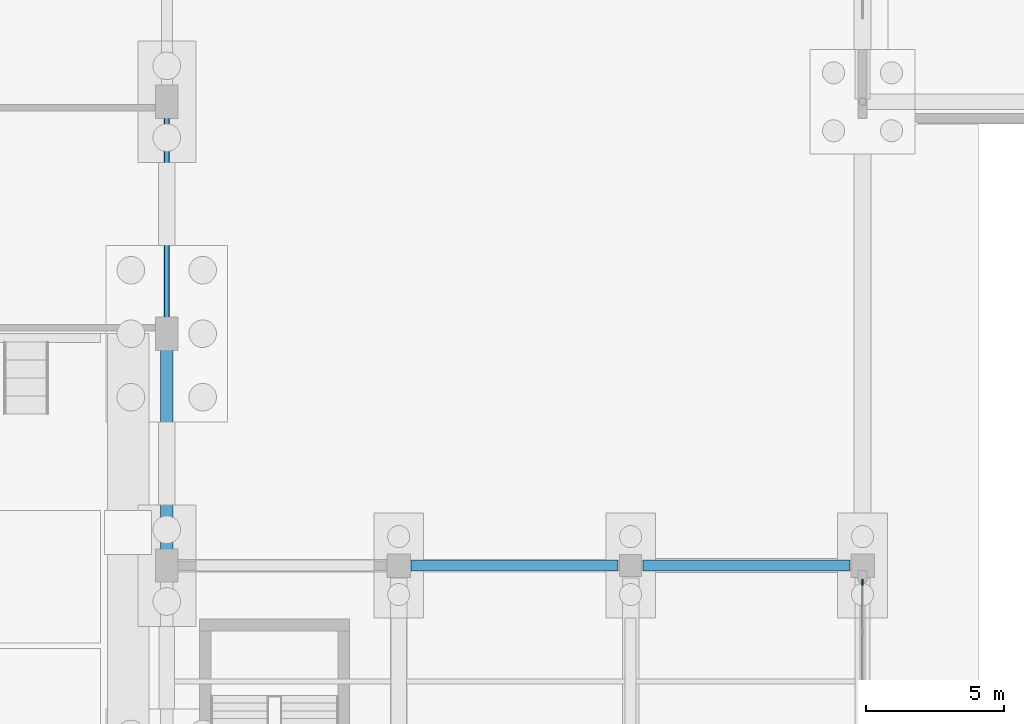
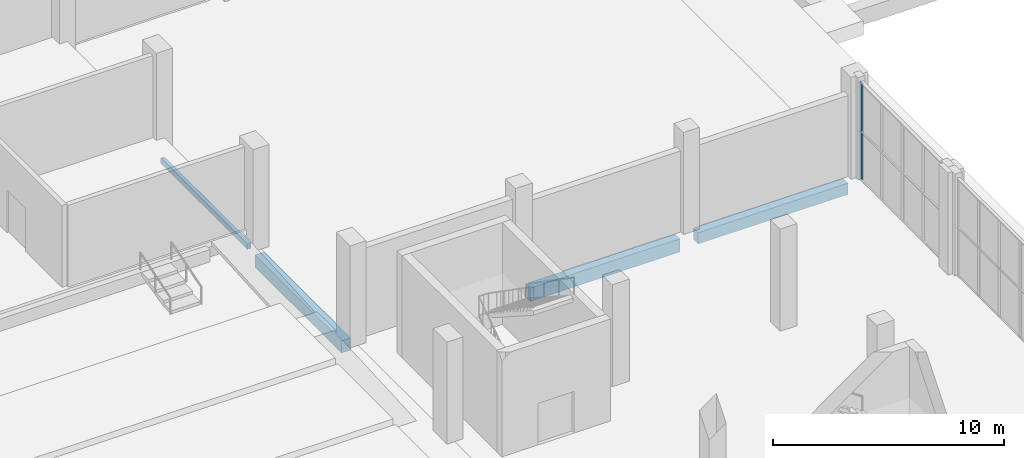
# One storey, part 41 of 82: 4 beams, 1 member, 1 element without a shape of its own.
"""IFC4 building model written with IfcOpenShell, lengths in metres."""

from ifc_helpers import new_model, si_unit, derived_unit, direction, frame, origin, origin_2d, place, context, subcontext, project, spatial, rectangle, hollow_rectangle, extrude, material, material_profile, profile_set, type_object, element, aggregate, save


model = new_model("IFC4")

# Units and contexts
model_context = context("Model", 3, precision=1e-05, world=origin(), true_north=direction((0.0, 1.0)))
body_context = subcontext(model_context, "Body", "Model", "MODEL_VIEW")
ifc_project = project(units=[si_unit("LENGTHUNIT", "METRE"), si_unit("AREAUNIT", "SQUARE_METRE"), si_unit("VOLUMEUNIT", "CUBIC_METRE"), si_unit("PLANEANGLEUNIT", "RADIAN"), si_unit("MASSUNIT", "GRAM", prefix="KILO"), derived_unit("THERMALTRANSMITTANCEUNIT", [(si_unit("POWERUNIT", "WATT"), 1), (si_unit("LENGTHUNIT", "METRE"), -2), (si_unit("THERMODYNAMICTEMPERATUREUNIT", "KELVIN"), -1)])], contexts=[model_context])

# Site, building, storey
site_placement = place(None, origin())
site = spatial("IfcSite", under=ifc_project, at=site_placement, CompositionType="ELEMENT")
building_placement = place(site_placement, origin())
building = spatial("IfcBuilding", under=site, at=building_placement, Name="Barrovel Congress Hotel", CompositionType="ELEMENT")
storey_placement = place(building_placement, origin())
storey = spatial("IfcBuildingStorey", under=building, at=storey_placement, Name="L00", CompositionType="ELEMENT", Elevation=0.0)

# Beams
ifc_material_1 = material(Name="Concrete C40", Category="concrete")
ifc_material_profile_1 = material_profile(ifc_material_1, rectangle(XDim=0.39990234375, YDim=0.60009765625, at=origin_2d()), Name="RC400x600")
ifc_profile_set_1 = profile_set([ifc_material_profile_1], Name="Concrete C40")
beam_type_1 = type_object("IfcBeamType", Name="BM-RC400x600", PredefinedType="BEAM", material=ifc_profile_set_1)
beam_1_placement = place(storey_placement, frame((50.85009765625, 79.800048828125, -0.6201171875), z_axis=(1.0, 0.0, 0.0), x_axis=(0.0, 1.0, 0.0)))
element("IfcBeam", 1, at=beam_1_placement, inside=storey, type_object=beam_type_1, Name="BMX:L00:79.8:50.4-58.8", PredefinedType="BEAM", context=body_context, shape_type="SweptSolid", body=[
    extrude(rectangle(XDim=0.39990234375, YDim=0.60009765625, at=origin_2d()), origin(), (0.0, 0.0, 1.0), 7.5),
])
ifc_material_profile_2 = material_profile(ifc_material_1, rectangle(XDim=0.39990234375, YDim=0.699951171875, at=origin_2d()), Name="RC400x700")
ifc_profile_set_2 = profile_set([ifc_material_profile_2], Name="Concrete C40")
beam_type_2 = type_object("IfcBeamType", Name="BM-RC400x700", PredefinedType="BEAM", material=ifc_profile_set_2)
beam_2_placement = place(storey_placement, frame((42.449951171875, 79.800048828125, -0.669921875), z_axis=(1.0, 0.0, 0.0), x_axis=(0.0, 1.0, 0.0)))
element("IfcBeam", 2, at=beam_2_placement, inside=storey, type_object=beam_type_2, Name="BMX:L00:79.8:42.0-50.4", PredefinedType="BEAM", context=body_context, shape_type="SweptSolid", body=[
    extrude(rectangle(XDim=0.39990234375, YDim=0.699951171875, at=origin_2d()), origin(), (0.0, 0.0, 1.0), 7.5),
])
ifc_material_profile_3 = material_profile(ifc_material_1, rectangle(XDim=0.449951171875, YDim=0.64990234375, at=origin_2d()), Name="RC450x650")
ifc_profile_set_3 = profile_set([ifc_material_profile_3], Name="Concrete C40")
beam_type_3 = type_object("IfcBeamType", Name="BM-RC450x650", PredefinedType="BEAM", material=ifc_profile_set_3)
beam_3_placement = place(storey_placement, frame((33.60009765625, 80.25, -0.64501953125), z_axis=(0.0, 1.0, 0.0), x_axis=(-1.0, 0.0, 0.0)))
element("IfcBeam", 3, at=beam_3_placement, inside=storey, type_object=beam_type_3, Name="BMY:L00:33.6:79.8-88.2", PredefinedType="BEAM", context=body_context, shape_type="SweptSolid", body=[
    extrude(rectangle(XDim=0.449951171875, YDim=0.64990234375, at=origin_2d()), origin(), (0.0, 0.0, 1.0), 7.5),
])

# Curtain wall, member
ifc_material_2 = material(Name="Anodised Aluminium Alloy 6063-T6", Category="aluminium")
curtain_wall_type = type_object("IfcCurtainWallType", Name="CW-ST-7200x3600", PredefinedType="USERDEFINED", material=ifc_material_2)
curtain_wall_placement = place(storey_placement, origin())
curtain_wall = element("IfcCurtainWall", 4, at=curtain_wall_placement, inside=storey, type_object=curtain_wall_type, Name="CW:L00:CW:71.4", ObjectType="STICK CURTAIN WALL", PredefinedType="USERDEFINED")
ifc_material_profile_4 = material_profile(ifc_material_2, rectangle(XDim=0.06494140625, YDim=0.219970703125, at=origin_2d()), Name="AL-M65x220")
ifc_profile_set_4 = profile_set([ifc_material_profile_4], Name="Anodised Aluminium Alloy 6063-T6")
member_type = type_object("IfcMemberType", Name="CWM-AL-M65x220", PredefinedType="MULLION", material=ifc_profile_set_4)
member_placement = place(storey_placement, frame((58.800048828125, 79.199951171875, 0.0), z_axis=(0.0, 0.0, 1.0), x_axis=(1.0, 0.0, 0.0)))
member = element("IfcMember", 5, at=member_placement, type_object=member_type, Name="CW:L00:CW:71.4:M4", PredefinedType="MULLION", context=body_context, shape_type="SweptSolid", body=[
    extrude(rectangle(XDim=0.06494140625, YDim=0.219970703125, at=origin_2d()), origin(), (0.0, 0.0, 1.0), 5.1201171875),
])
aggregate(curtain_wall, [member])

# Beam
ifc_material_3 = material(Name="Steel ASTM A500 Grade C", Category="steel")
ifc_material_profile_5 = material_profile(ifc_material_3, hollow_rectangle(XDim=0.203125, YDim=0.3046875, WallThickness=0.01171875, InnerFilletRadius=0.01171875, OuterFilletRadius=0.023681640625, at=origin_2d()), Name="HSS305x203x12.7")
ifc_profile_set_5 = profile_set([ifc_material_profile_5], Name="Steel ASTM A500 Grade C")
beam_type_4 = type_object("IfcBeamType", Name="SBM-HSS305x203x12.7", PredefinedType="SPANDREL", material=ifc_profile_set_5)
beam_4_placement = place(storey_placement, frame((33.60009765625, 88.64990234375, -0.472412109375), z_axis=(0.0, 1.0, 0.0), x_axis=(-1.0, 0.0, 0.0)))
element("IfcBeam", 6, at=beam_4_placement, inside=storey, type_object=beam_type_4, Name="BMY:L00:33.6:88.2-96.6", PredefinedType="SPANDREL", context=body_context, shape_type="SweptSolid", body=[
    extrude(hollow_rectangle(XDim=0.203125, YDim=0.3046875, WallThickness=0.01171875, InnerFilletRadius=0.01171875, OuterFilletRadius=0.023681640625, at=origin_2d()), origin(), (0.0, 0.0, 1.0), 7.5),
])

save(model, "model.ifc")
